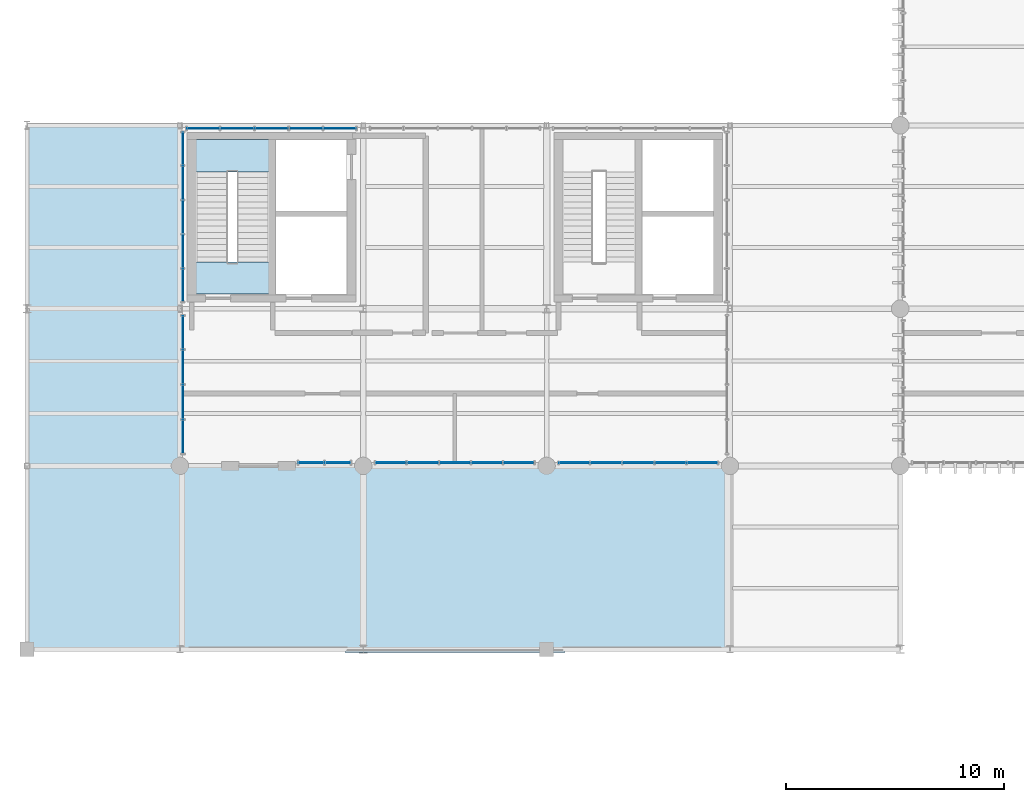
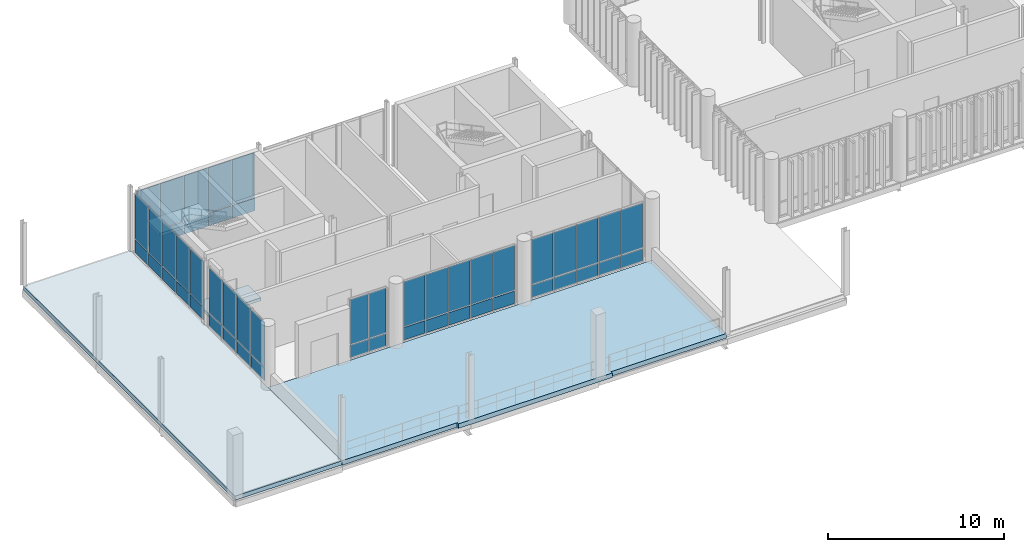
# One storey, part 50 of 68: 52 plates, 4 slabs, 7 elements without a shape of their own.
"""IFC4 building model written with IfcOpenShell, lengths in metres."""

import ifcopenshell
import ifcopenshell.guid

model = None  # the IFC model being written
_history = None  # IfcOwnerHistory: only IFC2X3 demands one
_inside = {}  # id of a spatial element -> (the spatial element, [elements in it])
_under = {}  # id of a project, library or spatial element -> (it, [spatial elements below it])
_declared = {}  # id of a project -> (the project, [libraries it declares])
_typed = {}  # id of a type object -> (the type object, [elements of that type])
_made_of = {}  # id of a material, layer set ... -> (it, [elements and type objects made of it])


def new_model(schema):
    """Start an empty IFC model of exactly this schema.

    Asked for "IFC4X3", IfcOpenShell would pick the latest addendum, in which some entities
    have other attributes; the version numbers below select the first issue.
    IFC2X3 requires an IfcOwnerHistory on every rooted entity: one is made here for all.
    """
    global model, _history
    if schema == "IFC4X3":
        model = ifcopenshell.file(schema_version=(4, 3, 0, 0))
    else:
        model = ifcopenshell.file(schema=schema)
    _inside.clear()
    _under.clear()
    _declared.clear()
    _typed.clear()
    _made_of.clear()
    _history = None
    if model.schema == "IFC2X3":
        org = make("IfcOrganization", Name="unknown")
        user = make(
            "IfcPersonAndOrganization",
            ThePerson=make("IfcPerson", FamilyName="unknown"),
            TheOrganization=org,
        )
        app = make(
            "IfcApplication",
            ApplicationDeveloper=org,
            Version="unknown",
            ApplicationFullName="unknown",
            ApplicationIdentifier="unknown",
        )
        _history = make(
            "IfcOwnerHistory",
            OwningUser=user,
            OwningApplication=app,
            ChangeAction="ADDED",
            CreationDate=0,
        )
    return model


def make(cls, **values):
    """One entity of the class cls with the attributes given. An attribute that is None is left unset."""
    return model.create_entity(
        cls, **{name: value for name, value in values.items() if value is not None}
    )


def rooted(cls, **values):
    """An entity with a GlobalId (a new one), such as an element, a storey or a relation."""
    return make(cls, GlobalId=ifcopenshell.guid.new(), OwnerHistory=_history, **values)


def si_unit(unit_type, name, prefix=None):
    """IfcSIUnit, for example si_unit("LENGTHUNIT", "METRE", prefix="MILLI")."""
    return make("IfcSIUnit", UnitType=unit_type, Prefix=prefix, Name=name)


def assignment(units):
    """IfcUnitAssignment: the units of a project."""
    return None if units is None else make("IfcUnitAssignment", Units=units)


def point(xyz):
    """IfcCartesianPoint."""
    return None if xyz is None else make("IfcCartesianPoint", Coordinates=xyz)


def direction(xyz):
    """IfcDirection."""
    return None if xyz is None else make("IfcDirection", DirectionRatios=xyz)


def frame(location, z_axis=None, x_axis=None):
    """IfcAxis2Placement3D, a coordinate frame: its origin and axes. An axis left out is left unset."""
    return make(
        "IfcAxis2Placement3D",
        Location=point(location),
        Axis=direction(z_axis),
        RefDirection=direction(x_axis),
    )


def frame_2d(location, x_axis=None):
    """IfcAxis2Placement2D, a coordinate frame in the plane: its origin and x axis."""
    return make(
        "IfcAxis2Placement2D", Location=point(location), RefDirection=direction(x_axis)
    )


def origin_with_axes():
    """The frame at (0, 0, 0) with the z axis (0, 0, 1) and the x axis (1, 0, 0) written out."""
    return frame((0.0, 0.0, 0.0), z_axis=(0.0, 0.0, 1.0), x_axis=(1.0, 0.0, 0.0))


def place(relative_to, where):
    """IfcLocalPlacement: puts the frame where relative to a parent placement (None: the world)."""
    return make(
        "IfcLocalPlacement", PlacementRelTo=relative_to, RelativePlacement=where
    )


def context(
    kind, dimensions, precision=None, world=None, true_north=None, identifier=None
):
    """IfcGeometricRepresentationContext, for example the 3D "Model" context."""
    return make(
        "IfcGeometricRepresentationContext",
        ContextIdentifier=identifier,
        ContextType=kind,
        CoordinateSpaceDimension=dimensions,
        Precision=precision,
        WorldCoordinateSystem=world,
        TrueNorth=true_north,
    )


def subcontext(parent, identifier, kind, view, scale=None):
    """IfcGeometricRepresentationSubContext, for example "Body" below "Model"."""
    return make(
        "IfcGeometricRepresentationSubContext",
        ContextIdentifier=identifier,
        ContextType=kind,
        ParentContext=parent,
        TargetScale=scale,
        TargetView=view,
    )


def project(units=None, contexts=None):
    """IfcProject with its units and contexts."""
    return rooted(
        "IfcProject",
        Name="project",
        RepresentationContexts=contexts,
        UnitsInContext=assignment(units),
    )


def spatial(cls, under=None, at=None, **own):
    """A site, building, storey or space (cls), placed at a placement, below another one or the project."""
    s = rooted(cls, ObjectPlacement=at, **own)
    if under is not None:
        _under.setdefault(under.id(), (under, []))[1].append(s)
    return s


def polyline(points):
    """IfcPolyline through the points."""
    return make("IfcPolyline", Points=[point(p) for p in points])


def profile(cls, at=None, kind="AREA", **sizes):
    """A parametric profile (cls). Its sizes go by their IFC names, for example OverallWidth=200.0."""
    return make(cls, ProfileType=kind, Position=at, **sizes)


def rectangle(**sizes):
    """IfcRectangleProfileDef."""
    return profile("IfcRectangleProfileDef", **sizes)


def outline(outer, holes=None, kind="AREA"):
    """IfcArbitraryClosedProfileDef: a profile drawn as a closed curve; with holes, ...WithVoids."""
    if holes is None:
        return make("IfcArbitraryClosedProfileDef", ProfileType=kind, OuterCurve=outer)
    return make(
        "IfcArbitraryProfileDefWithVoids",
        ProfileType=kind,
        OuterCurve=outer,
        InnerCurves=holes,
    )


def extrude(swept, where, along, depth):
    """IfcExtrudedAreaSolid: the profile swept, set in the frame where, extruded along a direction by depth."""
    return make(
        "IfcExtrudedAreaSolid",
        SweptArea=swept,
        Position=where,
        ExtrudedDirection=direction(along),
        Depth=depth,
    )


def shape(context_of_items, identifier, shape_type, items):
    """IfcShapeRepresentation: the items that make up one representation, for example the "Body"."""
    return make(
        "IfcShapeRepresentation",
        ContextOfItems=context_of_items,
        RepresentationIdentifier=identifier,
        RepresentationType=shape_type,
        Items=items,
    )


def material(Name=None, Category=None):
    """IfcMaterial."""
    return make("IfcMaterial", Name=Name, Category=Category)


def layer(
    of_material, thickness, ventilated=None, Name=None, Category=None, Priority=None
):
    """IfcMaterialLayer: one layer of a wall or slab, of a material (None: an air gap)."""
    return make(
        "IfcMaterialLayer",
        Material=of_material,
        LayerThickness=thickness,
        IsVentilated=ventilated,
        Name=Name,
        Category=Category,
        Priority=Priority,
    )


def layer_set(layers, Name=None):
    """IfcMaterialLayerSet."""
    return make("IfcMaterialLayerSet", MaterialLayers=layers, LayerSetName=Name)


def made_of(thing, what):
    """Note that an element or type object is made of a material, layer set ...; save() writes the relation."""
    if what is not None:
        _made_of.setdefault(what.id(), (what, []))[1].append(thing)
    return thing


def type_object(cls, material=None, **own):
    """A type object (cls), such as IfcWallType, which elements share."""
    return made_of(rooted(cls, **own), material)


def element(
    cls,
    number,
    at=None,
    inside=None,
    cuts=None,
    type_object=None,
    material=None,
    context=None,
    identifier="Body",
    shape_type=None,
    held_by="IfcProductDefinitionShape",
    body=None,
    shapes=None,
    **own,
):
    """One element of the class cls, such as IfcWall. Its Tag is "e" and its number.

    at: its placement. inside: the storey or other place that contains it. cuts: it is an
    opening in that element (IfcRelVoidsElement). A single representation is given by context,
    identifier, shape_type and body (its items); several are given by shapes. held_by: the class
    of the entity that holds the representations. save() writes the other relations.
    """
    e = rooted(cls, Tag="e%d" % number, ObjectPlacement=at, **own)
    if body is not None:
        shapes = [shape(context, identifier, shape_type, body)]
    if shapes is not None:
        e.Representation = make(held_by, Representations=shapes)
    if inside is not None:
        _inside.setdefault(inside.id(), (inside, []))[1].append(e)
    if cuts is not None:
        rooted(
            "IfcRelVoidsElement", RelatingBuildingElement=cuts, RelatedOpeningElement=e
        )
    if type_object is not None:
        _typed.setdefault(type_object.id(), (type_object, []))[1].append(e)
    return made_of(e, material)


def aggregate(whole, parts):
    """IfcRelAggregates: a whole, such as a stair, and the parts it consists of."""
    return rooted("IfcRelAggregates", RelatingObject=whole, RelatedObjects=parts)


def save(model, path):
    """Write the relations noted so far, then the file.

    IfcRelAggregates (storeys below a building ...), IfcRelContainedInSpatialStructure (elements
    in a storey), IfcRelDefinesByType, IfcRelAssociatesMaterial and IfcRelDeclares: one each for
    every whole, place, type object, material and project.
    """
    for whole, parts in _under.values():
        aggregate(whole, parts)
    for where, things in _inside.values():
        rooted(
            "IfcRelContainedInSpatialStructure",
            RelatedElements=things,
            RelatingStructure=where,
        )
    for kind, things in _typed.values():
        rooted("IfcRelDefinesByType", RelatedObjects=things, RelatingType=kind)
    for what, things in _made_of.values():
        rooted("IfcRelAssociatesMaterial", RelatedObjects=things, RelatingMaterial=what)
    for by, libraries in _declared.values():
        rooted("IfcRelDeclares", RelatingContext=by, RelatedDefinitions=libraries)
    model.write(path)


model = new_model("IFC4")

# Units and contexts
model_context = context("Model", 3, precision=1e-05, world=origin_with_axes(), true_north=direction((0.0, 1.0)))
body_context = subcontext(model_context, "Body", "Model", "MODEL_VIEW")
ifc_project = project(units=[si_unit("LENGTHUNIT", "METRE"), si_unit("AREAUNIT", "SQUARE_METRE"), si_unit("VOLUMEUNIT", "CUBIC_METRE"), si_unit("PLANEANGLEUNIT", "RADIAN"), si_unit("MASSUNIT", "GRAM", prefix="KILO"), si_unit("THERMODYNAMICTEMPERATUREUNIT", "KELVIN")], contexts=[model_context])

# Site, building, storey
site_placement = place(None, origin_with_axes())
site = spatial("IfcSite", under=ifc_project, at=site_placement, CompositionType="ELEMENT")
building_placement = place(site_placement, origin_with_axes())
building = spatial("IfcBuilding", under=site, at=building_placement, Name="Montbau Bow Law Courts", CompositionType="ELEMENT")
storey_placement = place(building_placement, frame((0.0, 0.0, 20.4), z_axis=(0.0, 0.0, 1.0), x_axis=(1.0, 0.0, 0.0)))
storey = spatial("IfcBuildingStorey", under=building, at=storey_placement, Name="L04", CompositionType="ELEMENT", Elevation=20.4)

# Curtain wall, plates
ifc_material_1 = material(Name="Thermally Broken Extruded Aluminium AA 6063-T6", Category="aluminium")
curtain_wall_type = type_object("IfcCurtainWallType", Name="CW-NCK-01", PredefinedType="NOTDEFINED", material=ifc_material_1)
curtain_wall_1_placement = place(None, frame((19.18, 39.14, 20.4), z_axis=(0.0, 0.0, 1.0), x_axis=(1.0, 0.0, 0.0)))
curtain_wall_1 = element("IfcCurtainWall", 1, at=curtain_wall_1_placement, inside=storey, type_object=curtain_wall_type, Name="CW-L04-066:cw_0066", PredefinedType="NOTDEFINED")
ifc_material_2 = material(Name="Insulated Ceramic-Frit Spandrel Glazing Unit", Category="glass")
ifc_layer_1 = layer(ifc_material_2, 0.056, Name="Curtain Panel", Category="glass")
ifc_layer_set_1 = layer_set([ifc_layer_1], Name="Insulated Ceramic-Frit Spandrel Glazing Unit")
plate_type_1 = type_object("IfcPlateType", Name="PL-CWP-02", PredefinedType="CURTAIN_PANEL", material=ifc_layer_set_1)
plate_1_placement = place(None, frame((19.256, 39.14, 20.462), z_axis=(0.0, -1.0, 0.0), x_axis=(1.0, 0.0, 0.0)))
plate_1 = element("IfcPlate", 2, at=plate_1_placement, type_object=plate_type_1, Name="CW-L04-066-P01-1:cw_0066_P01_1", PredefinedType="CURTAIN_PANEL", context=body_context, shape_type="SweptSolid", body=[
    extrude(rectangle(XDim=1.136, YDim=0.856, at=frame_2d((0.568, 0.428), x_axis=(1.0, 0.0))), frame((0.0, 0.0, -0.028), z_axis=(0.0, 0.0, 1.0), x_axis=(1.0, 0.0, 0.0)), (0.0, 0.0, 1.0), 0.056),
])
plate_2_placement = place(None, frame((20.472, 39.14, 20.462), z_axis=(0.0, -1.0, 0.0), x_axis=(1.0, 0.0, 0.0)))
plate_2 = element("IfcPlate", 3, at=plate_2_placement, type_object=plate_type_1, Name="CW-L04-066-P02-1:cw_0066_P02_1", PredefinedType="CURTAIN_PANEL", context=body_context, shape_type="SweptSolid", body=[
    extrude(rectangle(XDim=1.136, YDim=0.856, at=frame_2d((0.568, 0.428), x_axis=(1.0, 0.0))), frame((0.0, 0.0, -0.028), z_axis=(0.0, 0.0, 1.0), x_axis=(1.0, 0.0, 0.0)), (0.0, 0.0, 1.0), 0.056),
])

curtain_wall_2_placement = place(None, frame((22.715, 39.14, 20.4), z_axis=(0.0, 0.0, 1.0), x_axis=(1.0, 0.0, 0.0)))
curtain_wall_2 = element("IfcCurtainWall", 4, at=curtain_wall_2_placement, inside=storey, type_object=curtain_wall_type, Name="CW-L04-067:cw_0067", PredefinedType="NOTDEFINED")
plate_3_placement = place(None, frame((22.783, 39.14, 20.456), z_axis=(0.0, -1.0, 0.0), x_axis=(1.0, 0.0, 0.0)))
plate_3 = element("IfcPlate", 5, at=plate_3_placement, type_object=plate_type_1, Name="CW-L04-067-P01-1:cw_0067_P01_1", PredefinedType="CURTAIN_PANEL", context=body_context, shape_type="SweptSolid", body=[
    extrude(rectangle(XDim=1.372, YDim=0.865, at=frame_2d((0.686, 0.4325), x_axis=(1.0, 0.0))), frame((0.0, 0.0, -0.028), z_axis=(0.0, 0.0, 1.0), x_axis=(1.0, 0.0, 0.0)), (0.0, 0.0, 1.0), 0.056),
])
plate_4_placement = place(None, frame((24.223, 39.14, 20.456), z_axis=(0.0, -1.0, 0.0), x_axis=(1.0, 0.0, 0.0)))
plate_4 = element("IfcPlate", 6, at=plate_4_placement, type_object=plate_type_1, Name="CW-L04-067-P02-1:cw_0067_P02_1", PredefinedType="CURTAIN_PANEL", context=body_context, shape_type="SweptSolid", body=[
    extrude(rectangle(XDim=1.405, YDim=0.865, at=frame_2d((0.7025, 0.4325), x_axis=(1.0, 0.0))), frame((0.0, 0.0, -0.028), z_axis=(0.0, 0.0, 1.0), x_axis=(1.0, 0.0, 0.0)), (0.0, 0.0, 1.0), 0.056),
])
plate_5_placement = place(None, frame((25.697, 39.14, 20.456), z_axis=(0.0, -1.0, 0.0), x_axis=(1.0, 0.0, 0.0)))
plate_5 = element("IfcPlate", 7, at=plate_5_placement, type_object=plate_type_1, Name="CW-L04-067-P03-1:cw_0067_P03_1", PredefinedType="CURTAIN_PANEL", context=body_context, shape_type="SweptSolid", body=[
    extrude(rectangle(XDim=1.406, YDim=0.865, at=frame_2d((0.703, 0.4325), x_axis=(1.0, 0.0))), frame((0.0, 0.0, -0.028), z_axis=(0.0, 0.0, 1.0), x_axis=(1.0, 0.0, 0.0)), (0.0, 0.0, 1.0), 0.056),
])
plate_6_placement = place(None, frame((27.171, 39.14, 20.456), z_axis=(0.0, -1.0, 0.0), x_axis=(1.0, 0.0, 0.0)))
plate_6 = element("IfcPlate", 8, at=plate_6_placement, type_object=plate_type_1, Name="CW-L04-067-P04-1:cw_0067_P04_1", PredefinedType="CURTAIN_PANEL", context=body_context, shape_type="SweptSolid", body=[
    extrude(rectangle(XDim=1.406, YDim=0.865, at=frame_2d((0.703, 0.4325), x_axis=(1.0, 0.0))), frame((0.0, 0.0, -0.028), z_axis=(0.0, 0.0, 1.0), x_axis=(1.0, 0.0, 0.0)), (0.0, 0.0, 1.0), 0.056),
])
plate_7_placement = place(None, frame((28.645, 39.14, 20.456), z_axis=(0.0, -1.0, 0.0), x_axis=(1.0, 0.0, 0.0)))
plate_7 = element("IfcPlate", 9, at=plate_7_placement, type_object=plate_type_1, Name="CW-L04-067-P05-1:cw_0067_P05_1", PredefinedType="CURTAIN_PANEL", context=body_context, shape_type="SweptSolid", body=[
    extrude(rectangle(XDim=1.374, YDim=0.865, at=frame_2d((0.687, 0.4325), x_axis=(1.0, 0.0))), frame((0.0, 0.0, -0.028), z_axis=(0.0, 0.0, 1.0), x_axis=(1.0, 0.0, 0.0)), (0.0, 0.0, 1.0), 0.056),
])

curtain_wall_3_placement = place(None, frame((31.115, 39.14, 20.4), z_axis=(0.0, 0.0, 1.0), x_axis=(1.0, 0.0, 0.0)))
curtain_wall_3 = element("IfcCurtainWall", 10, at=curtain_wall_3_placement, inside=storey, type_object=curtain_wall_type, Name="CW-L04-068:cw_0068", PredefinedType="NOTDEFINED")
plate_8_placement = place(None, frame((31.177, 39.14, 20.462), z_axis=(0.0, -1.0, 0.0), x_axis=(1.0, 0.0, 0.0)))
plate_8 = element("IfcPlate", 11, at=plate_8_placement, type_object=plate_type_1, Name="CW-L04-068-P01-1:cw_0068_P01_1", PredefinedType="CURTAIN_PANEL", context=body_context, shape_type="SweptSolid", body=[
    extrude(rectangle(XDim=1.38, YDim=0.856, at=frame_2d((0.69, 0.428), x_axis=(1.0, 0.0))), frame((0.0, 0.0, -0.028), z_axis=(0.0, 0.0, 1.0), x_axis=(1.0, 0.0, 0.0)), (0.0, 0.0, 1.0), 0.056),
])
plate_9_placement = place(None, frame((32.621, 39.14, 20.462), z_axis=(0.0, -1.0, 0.0), x_axis=(1.0, 0.0, 0.0)))
plate_9 = element("IfcPlate", 12, at=plate_9_placement, type_object=plate_type_1, Name="CW-L04-068-P02-1:cw_0068_P02_1", PredefinedType="CURTAIN_PANEL", context=body_context, shape_type="SweptSolid", body=[
    extrude(rectangle(XDim=1.41, YDim=0.856, at=frame_2d((0.705, 0.428), x_axis=(1.0, 0.0))), frame((0.0, 0.0, -0.028), z_axis=(0.0, 0.0, 1.0), x_axis=(1.0, 0.0, 0.0)), (0.0, 0.0, 1.0), 0.056),
])
plate_10_placement = place(None, frame((34.095, 39.14, 20.462), z_axis=(0.0, -1.0, 0.0), x_axis=(1.0, 0.0, 0.0)))
plate_10 = element("IfcPlate", 13, at=plate_10_placement, type_object=plate_type_1, Name="CW-L04-068-P03-1:cw_0068_P03_1", PredefinedType="CURTAIN_PANEL", context=body_context, shape_type="SweptSolid", body=[
    extrude(rectangle(XDim=1.41, YDim=0.856, at=frame_2d((0.705, 0.428), x_axis=(1.0, 0.0))), frame((0.0, 0.0, -0.028), z_axis=(0.0, 0.0, 1.0), x_axis=(1.0, 0.0, 0.0)), (0.0, 0.0, 1.0), 0.056),
])
plate_11_placement = place(None, frame((35.569, 39.14, 20.462), z_axis=(0.0, -1.0, 0.0), x_axis=(1.0, 0.0, 0.0)))
plate_11 = element("IfcPlate", 14, at=plate_11_placement, type_object=plate_type_1, Name="CW-L04-068-P04-1:cw_0068_P04_1", PredefinedType="CURTAIN_PANEL", context=body_context, shape_type="SweptSolid", body=[
    extrude(rectangle(XDim=1.41, YDim=0.856, at=frame_2d((0.705, 0.428), x_axis=(1.0, 0.0))), frame((0.0, 0.0, -0.028), z_axis=(0.0, 0.0, 1.0), x_axis=(1.0, 0.0, 0.0)), (0.0, 0.0, 1.0), 0.056),
])
plate_12_placement = place(None, frame((37.043, 39.14, 20.462), z_axis=(0.0, -1.0, 0.0), x_axis=(1.0, 0.0, 0.0)))
plate_12 = element("IfcPlate", 15, at=plate_12_placement, type_object=plate_type_1, Name="CW-L04-068-P05-1:cw_0068_P05_1", PredefinedType="CURTAIN_PANEL", context=body_context, shape_type="SweptSolid", body=[
    extrude(rectangle(XDim=1.38, YDim=0.856, at=frame_2d((0.69, 0.428), x_axis=(1.0, 0.0))), frame((0.0, 0.0, -0.028), z_axis=(0.0, 0.0, 1.0), x_axis=(1.0, 0.0, 0.0)), (0.0, 0.0, 1.0), 0.056),
])

curtain_wall_4_placement = place(None, frame((14.068, 54.46, 20.4), z_axis=(0.0, 0.0, 1.0), x_axis=(1.0, 0.0, 0.0)))
curtain_wall_4 = element("IfcCurtainWall", 16, at=curtain_wall_4_placement, inside=storey, type_object=curtain_wall_type, Name="CW-L04-069:cw_0069", PredefinedType="NOTDEFINED")
plate_13_placement = place(None, frame((14.144, 54.46, 20.456), z_axis=(0.0, -1.0, 0.0), x_axis=(1.0, 0.0, 0.0)))
plate_13 = element("IfcPlate", 17, at=plate_13_placement, type_object=plate_type_1, Name="CW-L04-069-P01-1:cw_0069_P01_1", PredefinedType="CURTAIN_PANEL", context=body_context, shape_type="SweptSolid", body=[
    extrude(rectangle(XDim=1.457, YDim=0.865, at=frame_2d((0.7285, 0.4325), x_axis=(1.0, 0.0))), frame((0.0, 0.0, -0.028), z_axis=(0.0, 0.0, 1.0), x_axis=(1.0, 0.0, 0.0)), (0.0, 0.0, 1.0), 0.056),
])
plate_14_placement = place(None, frame((15.681, 54.46, 20.456), z_axis=(0.0, -1.0, 0.0), x_axis=(1.0, 0.0, 0.0)))
plate_14 = element("IfcPlate", 18, at=plate_14_placement, type_object=plate_type_1, Name="CW-L04-069-P02-1:cw_0069_P02_1", PredefinedType="CURTAIN_PANEL", context=body_context, shape_type="SweptSolid", body=[
    extrude(rectangle(XDim=1.494, YDim=0.865, at=frame_2d((0.747, 0.4325), x_axis=(1.0, 0.0))), frame((0.0, 0.0, -0.028), z_axis=(0.0, 0.0, 1.0), x_axis=(1.0, 0.0, 0.0)), (0.0, 0.0, 1.0), 0.056),
])
plate_15_placement = place(None, frame((17.253, 54.46, 20.456), z_axis=(0.0, -1.0, 0.0), x_axis=(1.0, 0.0, 0.0)))
plate_15 = element("IfcPlate", 19, at=plate_15_placement, type_object=plate_type_1, Name="CW-L04-069-P03-1:cw_0069_P03_1", PredefinedType="CURTAIN_PANEL", context=body_context, shape_type="SweptSolid", body=[
    extrude(rectangle(XDim=1.495, YDim=0.865, at=frame_2d((0.7475, 0.4325), x_axis=(1.0, 0.0))), frame((0.0, 0.0, -0.028), z_axis=(0.0, 0.0, 1.0), x_axis=(1.0, 0.0, 0.0)), (0.0, 0.0, 1.0), 0.056),
])
plate_16_placement = place(None, frame((18.826, 54.46, 20.456), z_axis=(0.0, -1.0, 0.0), x_axis=(1.0, 0.0, 0.0)))
plate_16 = element("IfcPlate", 20, at=plate_16_placement, type_object=plate_type_1, Name="CW-L04-069-P04-1:cw_0069_P04_1", PredefinedType="CURTAIN_PANEL", context=body_context, shape_type="SweptSolid", body=[
    extrude(rectangle(XDim=1.495, YDim=0.865, at=frame_2d((0.7475, 0.4325), x_axis=(1.0, 0.0))), frame((0.0, 0.0, -0.028), z_axis=(0.0, 0.0, 1.0), x_axis=(1.0, 0.0, 0.0)), (0.0, 0.0, 1.0), 0.056),
])
plate_17_placement = place(None, frame((20.399, 54.46, 20.456), z_axis=(0.0, -1.0, 0.0), x_axis=(1.0, 0.0, 0.0)))
plate_17 = element("IfcPlate", 21, at=plate_17_placement, type_object=plate_type_1, Name="CW-L04-069-P05-1:cw_0069_P05_1", PredefinedType="CURTAIN_PANEL", context=body_context, shape_type="SweptSolid", body=[
    extrude(rectangle(XDim=1.458, YDim=0.865, at=frame_2d((0.729, 0.4325), x_axis=(1.0, 0.0))), frame((0.0, 0.0, -0.028), z_axis=(0.0, 0.0, 1.0), x_axis=(1.0, 0.0, 0.0)), (0.0, 0.0, 1.0), 0.056),
])

curtain_wall_5_placement = place(None, frame((13.94, 39.515, 20.4), z_axis=(0.0, 0.0, 1.0), x_axis=(1.0, 0.0, 0.0)))
curtain_wall_5 = element("IfcCurtainWall", 22, at=curtain_wall_5_placement, inside=storey, type_object=curtain_wall_type, Name="CW-L04-072:cw_0072", PredefinedType="NOTDEFINED")
plate_18_placement = place(None, frame((13.94, 39.591, 20.462), z_axis=(1.0, 0.0, 0.0), x_axis=(0.0, 1.0, 0.0)))
plate_18 = element("IfcPlate", 23, at=plate_18_placement, type_object=plate_type_1, Name="CW-L04-072-P01-1:cw_0072_P01_1", PredefinedType="CURTAIN_PANEL", context=body_context, shape_type="SweptSolid", body=[
    extrude(rectangle(XDim=1.489, YDim=0.856, at=frame_2d((0.7445, 0.428), x_axis=(1.0, 0.0))), frame((0.0, 0.0, -0.028), z_axis=(0.0, 0.0, 1.0), x_axis=(1.0, 0.0, 0.0)), (0.0, 0.0, 1.0), 0.056),
])
plate_19_placement = place(None, frame((13.94, 41.159, 20.462), z_axis=(1.0, 0.0, 0.0), x_axis=(0.0, 1.0, 0.0)))
plate_19 = element("IfcPlate", 24, at=plate_19_placement, type_object=plate_type_1, Name="CW-L04-072-P02-1:cw_0072_P02_1", PredefinedType="CURTAIN_PANEL", context=body_context, shape_type="SweptSolid", body=[
    extrude(rectangle(XDim=1.526, YDim=0.856, at=frame_2d((0.763, 0.428), x_axis=(1.0, 0.0))), frame((0.0, 0.0, -0.028), z_axis=(0.0, 0.0, 1.0), x_axis=(1.0, 0.0, 0.0)), (0.0, 0.0, 1.0), 0.056),
])
plate_20_placement = place(None, frame((13.94, 42.763, 20.462), z_axis=(1.0, 0.0, 0.0), x_axis=(0.0, 1.0, 0.0)))
plate_20 = element("IfcPlate", 25, at=plate_20_placement, type_object=plate_type_1, Name="CW-L04-072-P03-1:cw_0072_P03_1", PredefinedType="CURTAIN_PANEL", context=body_context, shape_type="SweptSolid", body=[
    extrude(rectangle(XDim=1.526, YDim=0.856, at=frame_2d((0.763, 0.428), x_axis=(1.0, 0.0))), frame((0.0, 0.0, -0.028), z_axis=(0.0, 0.0, 1.0), x_axis=(1.0, 0.0, 0.0)), (0.0, 0.0, 1.0), 0.056),
])
plate_21_placement = place(None, frame((13.94, 44.367, 20.462), z_axis=(1.0, 0.0, 0.0), x_axis=(0.0, 1.0, 0.0)))
plate_21 = element("IfcPlate", 26, at=plate_21_placement, type_object=plate_type_1, Name="CW-L04-072-P04-1:cw_0072_P04_1", PredefinedType="CURTAIN_PANEL", context=body_context, shape_type="SweptSolid", body=[
    extrude(rectangle(XDim=1.489, YDim=0.856, at=frame_2d((0.7445, 0.428), x_axis=(1.0, 0.0))), frame((0.0, 0.0, -0.028), z_axis=(0.0, 0.0, 1.0), x_axis=(1.0, 0.0, 0.0)), (0.0, 0.0, 1.0), 0.056),
])

curtain_wall_6_placement = place(None, frame((13.94, 46.468, 20.4), z_axis=(0.0, 0.0, 1.0), x_axis=(1.0, 0.0, 0.0)))
curtain_wall_6 = element("IfcCurtainWall", 27, at=curtain_wall_6_placement, inside=storey, type_object=curtain_wall_type, Name="CW-L04-073:cw_0073", PredefinedType="NOTDEFINED")
plate_22_placement = place(None, frame((13.94, 46.536, 20.456), z_axis=(1.0, 0.0, 0.0), x_axis=(0.0, 1.0, 0.0)))
plate_22 = element("IfcPlate", 28, at=plate_22_placement, type_object=plate_type_1, Name="CW-L04-073-P01-1:cw_0073_P01_1", PredefinedType="CURTAIN_PANEL", context=body_context, shape_type="SweptSolid", body=[
    extrude(rectangle(XDim=1.47, YDim=0.865, at=frame_2d((0.735, 0.4325), x_axis=(1.0, 0.0))), frame((0.0, 0.0, -0.028), z_axis=(0.0, 0.0, 1.0), x_axis=(1.0, 0.0, 0.0)), (0.0, 0.0, 1.0), 0.056),
])
plate_23_placement = place(None, frame((13.94, 48.075, 20.456), z_axis=(1.0, 0.0, 0.0), x_axis=(0.0, 1.0, 0.0)))
plate_23 = element("IfcPlate", 29, at=plate_23_placement, type_object=plate_type_1, Name="CW-L04-073-P02-1:cw_0073_P02_1", PredefinedType="CURTAIN_PANEL", context=body_context, shape_type="SweptSolid", body=[
    extrude(rectangle(XDim=1.504, YDim=0.865, at=frame_2d((0.752, 0.4325), x_axis=(1.0, 0.0))), frame((0.0, 0.0, -0.028), z_axis=(0.0, 0.0, 1.0), x_axis=(1.0, 0.0, 0.0)), (0.0, 0.0, 1.0), 0.056),
])
plate_24_placement = place(None, frame((13.94, 49.648, 20.456), z_axis=(1.0, 0.0, 0.0), x_axis=(0.0, 1.0, 0.0)))
plate_24 = element("IfcPlate", 30, at=plate_24_placement, type_object=plate_type_1, Name="CW-L04-073-P03-1:cw_0073_P03_1", PredefinedType="CURTAIN_PANEL", context=body_context, shape_type="SweptSolid", body=[
    extrude(rectangle(XDim=1.504, YDim=0.865, at=frame_2d((0.752, 0.4325), x_axis=(1.0, 0.0))), frame((0.0, 0.0, -0.028), z_axis=(0.0, 0.0, 1.0), x_axis=(1.0, 0.0, 0.0)), (0.0, 0.0, 1.0), 0.056),
])
plate_25_placement = place(None, frame((13.94, 51.22, 20.456), z_axis=(1.0, 0.0, 0.0), x_axis=(0.0, 1.0, 0.0)))
plate_25 = element("IfcPlate", 31, at=plate_25_placement, type_object=plate_type_1, Name="CW-L04-073-P04-1:cw_0073_P04_1", PredefinedType="CURTAIN_PANEL", context=body_context, shape_type="SweptSolid", body=[
    extrude(rectangle(XDim=1.505, YDim=0.865, at=frame_2d((0.7525, 0.4325), x_axis=(1.0, 0.0))), frame((0.0, 0.0, -0.028), z_axis=(0.0, 0.0, 1.0), x_axis=(1.0, 0.0, 0.0)), (0.0, 0.0, 1.0), 0.056),
])
plate_26_placement = place(None, frame((13.94, 52.793, 20.456), z_axis=(1.0, 0.0, 0.0), x_axis=(0.0, 1.0, 0.0)))
plate_26 = element("IfcPlate", 32, at=plate_26_placement, type_object=plate_type_1, Name="CW-L04-073-P05-1:cw_0073_P05_1", PredefinedType="CURTAIN_PANEL", context=body_context, shape_type="SweptSolid", body=[
    extrude(rectangle(XDim=1.472, YDim=0.865, at=frame_2d((0.736, 0.4325), x_axis=(1.0, 0.0))), frame((0.0, 0.0, -0.028), z_axis=(0.0, 0.0, 1.0), x_axis=(1.0, 0.0, 0.0)), (0.0, 0.0, 1.0), 0.056),
])

# Plate
ifc_material_3 = material(Name="Triple-Glazed Winter-Garden Vision Unit", Category="glass")
ifc_layer_2 = layer(ifc_material_3, 0.036, Name="Curtain Panel", Category="glass")
ifc_layer_set_2 = layer_set([ifc_layer_2], Name="Triple-Glazed Winter-Garden Vision Unit")
plate_type_2 = type_object("IfcPlateType", Name="PL-CWP-03", PredefinedType="CURTAIN_PANEL", material=ifc_layer_set_2)
plate_27_placement = place(None, frame((19.256, 39.14, 21.382), z_axis=(0.0, -1.0, 0.0), x_axis=(1.0, 0.0, 0.0)))
plate_27 = element("IfcPlate", 33, at=plate_27_placement, type_object=plate_type_2, Name="CW-L04-066-P01-2:cw_0066_P01_2", PredefinedType="CURTAIN_PANEL", context=body_context, shape_type="SweptSolid", body=[
    extrude(rectangle(XDim=1.136, YDim=3.096, at=frame_2d((0.568, 1.548), x_axis=(1.0, 0.0))), frame((0.0, 0.0, -0.018), z_axis=(0.0, 0.0, 1.0), x_axis=(1.0, 0.0, 0.0)), (0.0, 0.0, 1.0), 0.036),
])

plate_28_placement = place(None, frame((20.472, 39.14, 21.382), z_axis=(0.0, -1.0, 0.0), x_axis=(1.0, 0.0, 0.0)))
plate_28 = element("IfcPlate", 34, at=plate_28_placement, type_object=plate_type_2, Name="CW-L04-066-P02-2:cw_0066_P02_2", PredefinedType="CURTAIN_PANEL", context=body_context, shape_type="SweptSolid", body=[
    extrude(rectangle(XDim=1.136, YDim=3.096, at=frame_2d((0.568, 1.548), x_axis=(1.0, 0.0))), frame((0.0, 0.0, -0.018), z_axis=(0.0, 0.0, 1.0), x_axis=(1.0, 0.0, 0.0)), (0.0, 0.0, 1.0), 0.036),
])

aggregate(curtain_wall_1, [plate_1, plate_27, plate_2, plate_28])

plate_29_placement = place(None, frame((22.783, 39.14, 21.38), z_axis=(0.0, -1.0, 0.0), x_axis=(1.0, 0.0, 0.0)))
plate_29 = element("IfcPlate", 35, at=plate_29_placement, type_object=plate_type_2, Name="CW-L04-067-P01-2:cw_0067_P01_2", PredefinedType="CURTAIN_PANEL", context=body_context, shape_type="SweptSolid", body=[
    extrude(rectangle(XDim=1.372, YDim=3.103, at=frame_2d((0.686, 1.5515), x_axis=(1.0, 0.0))), frame((0.0, 0.0, -0.018), z_axis=(0.0, 0.0, 1.0), x_axis=(1.0, 0.0, 0.0)), (0.0, 0.0, 1.0), 0.036),
])

plate_30_placement = place(None, frame((24.223, 39.14, 21.38), z_axis=(0.0, -1.0, 0.0), x_axis=(1.0, 0.0, 0.0)))
plate_30 = element("IfcPlate", 36, at=plate_30_placement, type_object=plate_type_2, Name="CW-L04-067-P02-2:cw_0067_P02_2", PredefinedType="CURTAIN_PANEL", context=body_context, shape_type="SweptSolid", body=[
    extrude(rectangle(XDim=1.405, YDim=3.103, at=frame_2d((0.7025, 1.5515), x_axis=(1.0, 0.0))), frame((0.0, 0.0, -0.018), z_axis=(0.0, 0.0, 1.0), x_axis=(1.0, 0.0, 0.0)), (0.0, 0.0, 1.0), 0.036),
])

plate_31_placement = place(None, frame((25.697, 39.14, 21.38), z_axis=(0.0, -1.0, 0.0), x_axis=(1.0, 0.0, 0.0)))
plate_31 = element("IfcPlate", 37, at=plate_31_placement, type_object=plate_type_2, Name="CW-L04-067-P03-2:cw_0067_P03_2", PredefinedType="CURTAIN_PANEL", context=body_context, shape_type="SweptSolid", body=[
    extrude(rectangle(XDim=1.406, YDim=3.103, at=frame_2d((0.703, 1.5515), x_axis=(1.0, 0.0))), frame((0.0, 0.0, -0.018), z_axis=(0.0, 0.0, 1.0), x_axis=(1.0, 0.0, 0.0)), (0.0, 0.0, 1.0), 0.036),
])

plate_32_placement = place(None, frame((27.171, 39.14, 21.38), z_axis=(0.0, -1.0, 0.0), x_axis=(1.0, 0.0, 0.0)))
plate_32 = element("IfcPlate", 38, at=plate_32_placement, type_object=plate_type_2, Name="CW-L04-067-P04-2:cw_0067_P04_2", PredefinedType="CURTAIN_PANEL", context=body_context, shape_type="SweptSolid", body=[
    extrude(rectangle(XDim=1.406, YDim=3.103, at=frame_2d((0.703, 1.5515), x_axis=(1.0, 0.0))), frame((0.0, 0.0, -0.018), z_axis=(0.0, 0.0, 1.0), x_axis=(1.0, 0.0, 0.0)), (0.0, 0.0, 1.0), 0.036),
])

plate_33_placement = place(None, frame((28.645, 39.14, 21.38), z_axis=(0.0, -1.0, 0.0), x_axis=(1.0, 0.0, 0.0)))
plate_33 = element("IfcPlate", 39, at=plate_33_placement, type_object=plate_type_2, Name="CW-L04-067-P05-2:cw_0067_P05_2", PredefinedType="CURTAIN_PANEL", context=body_context, shape_type="SweptSolid", body=[
    extrude(rectangle(XDim=1.374, YDim=3.103, at=frame_2d((0.687, 1.5515), x_axis=(1.0, 0.0))), frame((0.0, 0.0, -0.018), z_axis=(0.0, 0.0, 1.0), x_axis=(1.0, 0.0, 0.0)), (0.0, 0.0, 1.0), 0.036),
])

aggregate(curtain_wall_2, [plate_3, plate_29, plate_4, plate_30, plate_5, plate_31, plate_6, plate_32, plate_7, plate_33])

plate_34_placement = place(None, frame((31.177, 39.14, 21.382), z_axis=(0.0, -1.0, 0.0), x_axis=(1.0, 0.0, 0.0)))
plate_34 = element("IfcPlate", 40, at=plate_34_placement, type_object=plate_type_2, Name="CW-L04-068-P01-2:cw_0068_P01_2", PredefinedType="CURTAIN_PANEL", context=body_context, shape_type="SweptSolid", body=[
    extrude(rectangle(XDim=1.38, YDim=3.096, at=frame_2d((0.69, 1.548), x_axis=(1.0, 0.0))), frame((0.0, 0.0, -0.018), z_axis=(0.0, 0.0, 1.0), x_axis=(1.0, 0.0, 0.0)), (0.0, 0.0, 1.0), 0.036),
])

plate_35_placement = place(None, frame((32.621, 39.14, 21.382), z_axis=(0.0, -1.0, 0.0), x_axis=(1.0, 0.0, 0.0)))
plate_35 = element("IfcPlate", 41, at=plate_35_placement, type_object=plate_type_2, Name="CW-L04-068-P02-2:cw_0068_P02_2", PredefinedType="CURTAIN_PANEL", context=body_context, shape_type="SweptSolid", body=[
    extrude(rectangle(XDim=1.41, YDim=3.096, at=frame_2d((0.705, 1.548), x_axis=(1.0, 0.0))), frame((0.0, 0.0, -0.018), z_axis=(0.0, 0.0, 1.0), x_axis=(1.0, 0.0, 0.0)), (0.0, 0.0, 1.0), 0.036),
])

plate_36_placement = place(None, frame((34.095, 39.14, 21.382), z_axis=(0.0, -1.0, 0.0), x_axis=(1.0, 0.0, 0.0)))
plate_36 = element("IfcPlate", 42, at=plate_36_placement, type_object=plate_type_2, Name="CW-L04-068-P03-2:cw_0068_P03_2", PredefinedType="CURTAIN_PANEL", context=body_context, shape_type="SweptSolid", body=[
    extrude(rectangle(XDim=1.41, YDim=3.096, at=frame_2d((0.705, 1.548), x_axis=(1.0, 0.0))), frame((0.0, 0.0, -0.018), z_axis=(0.0, 0.0, 1.0), x_axis=(1.0, 0.0, 0.0)), (0.0, 0.0, 1.0), 0.036),
])

plate_37_placement = place(None, frame((35.569, 39.14, 21.382), z_axis=(0.0, -1.0, 0.0), x_axis=(1.0, 0.0, 0.0)))
plate_37 = element("IfcPlate", 43, at=plate_37_placement, type_object=plate_type_2, Name="CW-L04-068-P04-2:cw_0068_P04_2", PredefinedType="CURTAIN_PANEL", context=body_context, shape_type="SweptSolid", body=[
    extrude(rectangle(XDim=1.41, YDim=3.096, at=frame_2d((0.705, 1.548), x_axis=(1.0, 0.0))), frame((0.0, 0.0, -0.018), z_axis=(0.0, 0.0, 1.0), x_axis=(1.0, 0.0, 0.0)), (0.0, 0.0, 1.0), 0.036),
])

plate_38_placement = place(None, frame((37.043, 39.14, 21.382), z_axis=(0.0, -1.0, 0.0), x_axis=(1.0, 0.0, 0.0)))
plate_38 = element("IfcPlate", 44, at=plate_38_placement, type_object=plate_type_2, Name="CW-L04-068-P05-2:cw_0068_P05_2", PredefinedType="CURTAIN_PANEL", context=body_context, shape_type="SweptSolid", body=[
    extrude(rectangle(XDim=1.38, YDim=3.096, at=frame_2d((0.69, 1.548), x_axis=(1.0, 0.0))), frame((0.0, 0.0, -0.018), z_axis=(0.0, 0.0, 1.0), x_axis=(1.0, 0.0, 0.0)), (0.0, 0.0, 1.0), 0.036),
])

aggregate(curtain_wall_3, [plate_8, plate_34, plate_9, plate_35, plate_10, plate_36, plate_11, plate_37, plate_12, plate_38])

plate_39_placement = place(None, frame((14.144, 54.46, 21.38), z_axis=(0.0, -1.0, 0.0), x_axis=(1.0, 0.0, 0.0)))
plate_39 = element("IfcPlate", 45, at=plate_39_placement, type_object=plate_type_2, Name="CW-L04-069-P01-2:cw_0069_P01_2", PredefinedType="CURTAIN_PANEL", context=body_context, shape_type="SweptSolid", body=[
    extrude(rectangle(XDim=1.457, YDim=3.103, at=frame_2d((0.7285, 1.5515), x_axis=(1.0, 0.0))), frame((0.0, 0.0, -0.018), z_axis=(0.0, 0.0, 1.0), x_axis=(1.0, 0.0, 0.0)), (0.0, 0.0, 1.0), 0.036),
])

plate_40_placement = place(None, frame((15.681, 54.46, 21.38), z_axis=(0.0, -1.0, 0.0), x_axis=(1.0, 0.0, 0.0)))
plate_40 = element("IfcPlate", 46, at=plate_40_placement, type_object=plate_type_2, Name="CW-L04-069-P02-2:cw_0069_P02_2", PredefinedType="CURTAIN_PANEL", context=body_context, shape_type="SweptSolid", body=[
    extrude(rectangle(XDim=1.494, YDim=3.103, at=frame_2d((0.747, 1.5515), x_axis=(1.0, 0.0))), frame((0.0, 0.0, -0.018), z_axis=(0.0, 0.0, 1.0), x_axis=(1.0, 0.0, 0.0)), (0.0, 0.0, 1.0), 0.036),
])

plate_41_placement = place(None, frame((17.253, 54.46, 21.38), z_axis=(0.0, -1.0, 0.0), x_axis=(1.0, 0.0, 0.0)))
plate_41 = element("IfcPlate", 47, at=plate_41_placement, type_object=plate_type_2, Name="CW-L04-069-P03-2:cw_0069_P03_2", PredefinedType="CURTAIN_PANEL", context=body_context, shape_type="SweptSolid", body=[
    extrude(rectangle(XDim=1.495, YDim=3.103, at=frame_2d((0.7475, 1.5515), x_axis=(1.0, 0.0))), frame((0.0, 0.0, -0.018), z_axis=(0.0, 0.0, 1.0), x_axis=(1.0, 0.0, 0.0)), (0.0, 0.0, 1.0), 0.036),
])

plate_42_placement = place(None, frame((18.826, 54.46, 21.38), z_axis=(0.0, -1.0, 0.0), x_axis=(1.0, 0.0, 0.0)))
plate_42 = element("IfcPlate", 48, at=plate_42_placement, type_object=plate_type_2, Name="CW-L04-069-P04-2:cw_0069_P04_2", PredefinedType="CURTAIN_PANEL", context=body_context, shape_type="SweptSolid", body=[
    extrude(rectangle(XDim=1.495, YDim=3.103, at=frame_2d((0.7475, 1.5515), x_axis=(1.0, 0.0))), frame((0.0, 0.0, -0.018), z_axis=(0.0, 0.0, 1.0), x_axis=(1.0, 0.0, 0.0)), (0.0, 0.0, 1.0), 0.036),
])

plate_43_placement = place(None, frame((20.399, 54.46, 21.38), z_axis=(0.0, -1.0, 0.0), x_axis=(1.0, 0.0, 0.0)))
plate_43 = element("IfcPlate", 49, at=plate_43_placement, type_object=plate_type_2, Name="CW-L04-069-P05-2:cw_0069_P05_2", PredefinedType="CURTAIN_PANEL", context=body_context, shape_type="SweptSolid", body=[
    extrude(rectangle(XDim=1.458, YDim=3.103, at=frame_2d((0.729, 1.5515), x_axis=(1.0, 0.0))), frame((0.0, 0.0, -0.018), z_axis=(0.0, 0.0, 1.0), x_axis=(1.0, 0.0, 0.0)), (0.0, 0.0, 1.0), 0.036),
])

aggregate(curtain_wall_4, [plate_13, plate_39, plate_14, plate_40, plate_15, plate_41, plate_16, plate_42, plate_17, plate_43])

plate_44_placement = place(None, frame((13.94, 39.591, 21.382), z_axis=(1.0, 0.0, 0.0), x_axis=(0.0, 1.0, 0.0)))
plate_44 = element("IfcPlate", 50, at=plate_44_placement, type_object=plate_type_2, Name="CW-L04-072-P01-2:cw_0072_P01_2", PredefinedType="CURTAIN_PANEL", context=body_context, shape_type="SweptSolid", body=[
    extrude(rectangle(XDim=1.489, YDim=3.096, at=frame_2d((0.7445, 1.548), x_axis=(1.0, 0.0))), frame((0.0, 0.0, -0.018), z_axis=(0.0, 0.0, 1.0), x_axis=(1.0, 0.0, 0.0)), (0.0, 0.0, 1.0), 0.036),
])

plate_45_placement = place(None, frame((13.94, 41.159, 21.382), z_axis=(1.0, 0.0, 0.0), x_axis=(0.0, 1.0, 0.0)))
plate_45 = element("IfcPlate", 51, at=plate_45_placement, type_object=plate_type_2, Name="CW-L04-072-P02-2:cw_0072_P02_2", PredefinedType="CURTAIN_PANEL", context=body_context, shape_type="SweptSolid", body=[
    extrude(rectangle(XDim=1.526, YDim=3.096, at=frame_2d((0.763, 1.548), x_axis=(1.0, 0.0))), frame((0.0, 0.0, -0.018), z_axis=(0.0, 0.0, 1.0), x_axis=(1.0, 0.0, 0.0)), (0.0, 0.0, 1.0), 0.036),
])

plate_46_placement = place(None, frame((13.94, 42.763, 21.382), z_axis=(1.0, 0.0, 0.0), x_axis=(0.0, 1.0, 0.0)))
plate_46 = element("IfcPlate", 52, at=plate_46_placement, type_object=plate_type_2, Name="CW-L04-072-P03-2:cw_0072_P03_2", PredefinedType="CURTAIN_PANEL", context=body_context, shape_type="SweptSolid", body=[
    extrude(rectangle(XDim=1.526, YDim=3.096, at=frame_2d((0.763, 1.548), x_axis=(1.0, 0.0))), frame((0.0, 0.0, -0.018), z_axis=(0.0, 0.0, 1.0), x_axis=(1.0, 0.0, 0.0)), (0.0, 0.0, 1.0), 0.036),
])

plate_47_placement = place(None, frame((13.94, 44.367, 21.382), z_axis=(1.0, 0.0, 0.0), x_axis=(0.0, 1.0, 0.0)))
plate_47 = element("IfcPlate", 53, at=plate_47_placement, type_object=plate_type_2, Name="CW-L04-072-P04-2:cw_0072_P04_2", PredefinedType="CURTAIN_PANEL", context=body_context, shape_type="SweptSolid", body=[
    extrude(rectangle(XDim=1.489, YDim=3.096, at=frame_2d((0.7445, 1.548), x_axis=(1.0, 0.0))), frame((0.0, 0.0, -0.018), z_axis=(0.0, 0.0, 1.0), x_axis=(1.0, 0.0, 0.0)), (0.0, 0.0, 1.0), 0.036),
])

aggregate(curtain_wall_5, [plate_18, plate_44, plate_19, plate_45, plate_20, plate_46, plate_21, plate_47])

plate_48_placement = place(None, frame((13.94, 46.536, 21.38), z_axis=(1.0, 0.0, 0.0), x_axis=(0.0, 1.0, 0.0)))
plate_48 = element("IfcPlate", 54, at=plate_48_placement, type_object=plate_type_2, Name="CW-L04-073-P01-2:cw_0073_P01_2", PredefinedType="CURTAIN_PANEL", context=body_context, shape_type="SweptSolid", body=[
    extrude(rectangle(XDim=1.47, YDim=3.103, at=frame_2d((0.735, 1.5515), x_axis=(1.0, 0.0))), frame((0.0, 0.0, -0.018), z_axis=(0.0, 0.0, 1.0), x_axis=(1.0, 0.0, 0.0)), (0.0, 0.0, 1.0), 0.036),
])

plate_49_placement = place(None, frame((13.94, 48.075, 21.38), z_axis=(1.0, 0.0, 0.0), x_axis=(0.0, 1.0, 0.0)))
plate_49 = element("IfcPlate", 55, at=plate_49_placement, type_object=plate_type_2, Name="CW-L04-073-P02-2:cw_0073_P02_2", PredefinedType="CURTAIN_PANEL", context=body_context, shape_type="SweptSolid", body=[
    extrude(rectangle(XDim=1.504, YDim=3.103, at=frame_2d((0.752, 1.5515), x_axis=(1.0, 0.0))), frame((0.0, 0.0, -0.018), z_axis=(0.0, 0.0, 1.0), x_axis=(1.0, 0.0, 0.0)), (0.0, 0.0, 1.0), 0.036),
])

plate_50_placement = place(None, frame((13.94, 49.648, 21.38), z_axis=(1.0, 0.0, 0.0), x_axis=(0.0, 1.0, 0.0)))
plate_50 = element("IfcPlate", 56, at=plate_50_placement, type_object=plate_type_2, Name="CW-L04-073-P03-2:cw_0073_P03_2", PredefinedType="CURTAIN_PANEL", context=body_context, shape_type="SweptSolid", body=[
    extrude(rectangle(XDim=1.504, YDim=3.103, at=frame_2d((0.752, 1.5515), x_axis=(1.0, 0.0))), frame((0.0, 0.0, -0.018), z_axis=(0.0, 0.0, 1.0), x_axis=(1.0, 0.0, 0.0)), (0.0, 0.0, 1.0), 0.036),
])

plate_51_placement = place(None, frame((13.94, 51.22, 21.38), z_axis=(1.0, 0.0, 0.0), x_axis=(0.0, 1.0, 0.0)))
plate_51 = element("IfcPlate", 57, at=plate_51_placement, type_object=plate_type_2, Name="CW-L04-073-P04-2:cw_0073_P04_2", PredefinedType="CURTAIN_PANEL", context=body_context, shape_type="SweptSolid", body=[
    extrude(rectangle(XDim=1.505, YDim=3.103, at=frame_2d((0.7525, 1.5515), x_axis=(1.0, 0.0))), frame((0.0, 0.0, -0.018), z_axis=(0.0, 0.0, 1.0), x_axis=(1.0, 0.0, 0.0)), (0.0, 0.0, 1.0), 0.036),
])

plate_52_placement = place(None, frame((13.94, 52.793, 21.38), z_axis=(1.0, 0.0, 0.0), x_axis=(0.0, 1.0, 0.0)))
plate_52 = element("IfcPlate", 58, at=plate_52_placement, type_object=plate_type_2, Name="CW-L04-073-P05-2:cw_0073_P05_2", PredefinedType="CURTAIN_PANEL", context=body_context, shape_type="SweptSolid", body=[
    extrude(rectangle(XDim=1.472, YDim=3.103, at=frame_2d((0.736, 1.5515), x_axis=(1.0, 0.0))), frame((0.0, 0.0, -0.018), z_axis=(0.0, 0.0, 1.0), x_axis=(1.0, 0.0, 0.0)), (0.0, 0.0, 1.0), 0.036),
])

aggregate(curtain_wall_6, [plate_22, plate_48, plate_23, plate_49, plate_24, plate_50, plate_25, plate_51, plate_26, plate_52])

# Stair, slabs
ifc_material_4 = material(Name="Concrete CSA A23.1 f'c 40 MPa", Category="concrete")
stair_type = type_object("IfcStairType", Name="ST-PUB-1800", PredefinedType="HALF_TURN_STAIR", material=ifc_material_4)
stair_placement = place(None, frame((15.29, 48.3, 20.4), z_axis=(0.0, 0.0, 1.0), x_axis=(1.0, 0.0, 0.0)))
stair = element("IfcStair", 59, at=stair_placement, inside=storey, type_object=stair_type, Name="ST-P1-L04:str_0006", PredefinedType="HALF_TURN_STAIR")
ifc_layer_3 = layer(ifc_material_4, 0.21, Name="Landing", Category="concrete")
ifc_layer_set_3 = layer_set([ifc_layer_3], Name="Concrete CSA A23.1 f'c 40 MPa")
slab_type_1 = type_object("IfcSlabType", Name="SL-LND-02", PredefinedType="LANDING", material=ifc_layer_set_3)
slab_1_placement = place(None, frame((0.0, 0.0, 20.19), z_axis=(0.0, 0.0, 1.0), x_axis=(1.0, 0.0, 0.0)))
slab_1 = element("IfcSlab", 60, at=slab_1_placement, type_object=slab_type_1, Name="ST-P1-L04-LB:str_0006_LB", PredefinedType="LANDING", context=body_context, shape_type="SweptSolid", body=[
    extrude(outline(polyline([(14.52, 46.87), (17.9, 46.87), (17.9, 48.34), (14.52, 48.34), (14.52, 46.87)])), origin_with_axes(), (0.0, 0.0, 1.0), 0.21),
])
slab_2_placement = place(None, frame((0.0, 0.0, 22.44), z_axis=(0.0, 0.0, 1.0), x_axis=(1.0, 0.0, 0.0)))
slab_2 = element("IfcSlab", 61, at=slab_2_placement, type_object=slab_type_1, Name="ST-P1-L04-LM:str_0006_LM", PredefinedType="LANDING", context=body_context, shape_type="SweptSolid", body=[
    extrude(outline(polyline([(14.52, 52.46), (17.9, 52.46), (17.9, 53.96), (14.52, 53.96), (14.52, 52.46)])), origin_with_axes(), (0.0, 0.0, 1.0), 0.21),
])
aggregate(stair, [slab_1, slab_2])

# Slabs
ifc_layer_4 = layer(ifc_material_4, 0.29, Name="Roof Slab", Category="concrete")
ifc_layer_set_4 = layer_set([ifc_layer_4], Name="Concrete CSA A23.1 f'c 40 MPa")
slab_type_2 = type_object("IfcSlabType", Name="SL-ROF-02", PredefinedType="ROOF", material=ifc_layer_set_4)
slab_3_placement = place(None, frame((0.0, 0.0, 20.11), z_axis=(0.0, 0.0, 1.0), x_axis=(1.0, 0.0, 0.0)))
element("IfcSlab", 62, at=slab_3_placement, inside=storey, type_object=slab_type_2, Name="RF-SLB-LID-L04-16:slb_0067", PredefinedType="ROOF", context=body_context, shape_type="SweptSolid", body=[
    extrude(outline(polyline([(13.796, 54.6), (13.796, 30.6), (6.8, 30.6), (6.8, 54.6), (13.796, 54.6)])), origin_with_axes(), (0.0, 0.0, 1.0), 0.29),
])
ifc_layer_5 = layer(ifc_material_4, 0.32, Name="Floor Slab", Category="concrete")
ifc_layer_set_5 = layer_set([ifc_layer_5], Name="Concrete CSA A23.1 f'c 40 MPa")
slab_type_3 = type_object("IfcSlabType", Name="SL-TER-01", PredefinedType="FLOOR", material=ifc_layer_set_5)
slab_4_placement = place(None, frame((0.0, 0.0, 20.08), z_axis=(0.0, 0.0, 1.0), x_axis=(1.0, 0.0, 0.0)))
element("IfcSlab", 63, at=slab_4_placement, inside=storey, type_object=slab_type_3, Name="TER-L04-V2:slb_0041", PredefinedType="FLOOR", context=body_context, shape_type="SweptSolid", body=[
    extrude(outline(polyline([(13.8, 30.6), (21.36, 30.6), (21.36, 30.46), (31.44, 30.46), (31.44, 30.6), (39.0, 30.6), (39.0, 38.996), (13.8, 38.996), (13.8, 30.6)])), origin_with_axes(), (0.0, 0.0, 1.0), 0.32),
])

save(model, "model.ifc")
